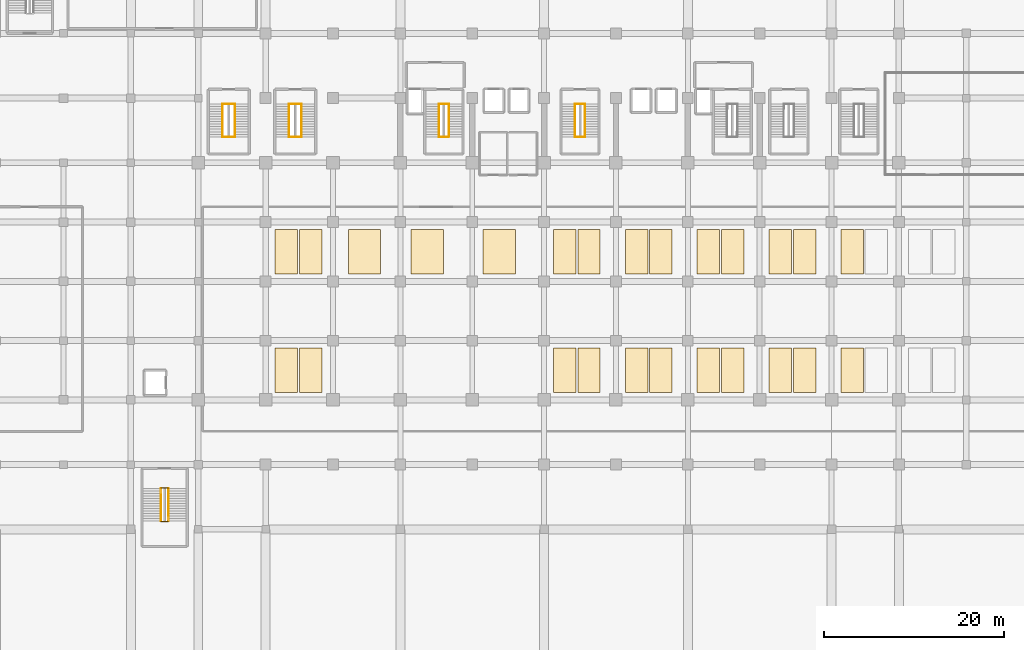
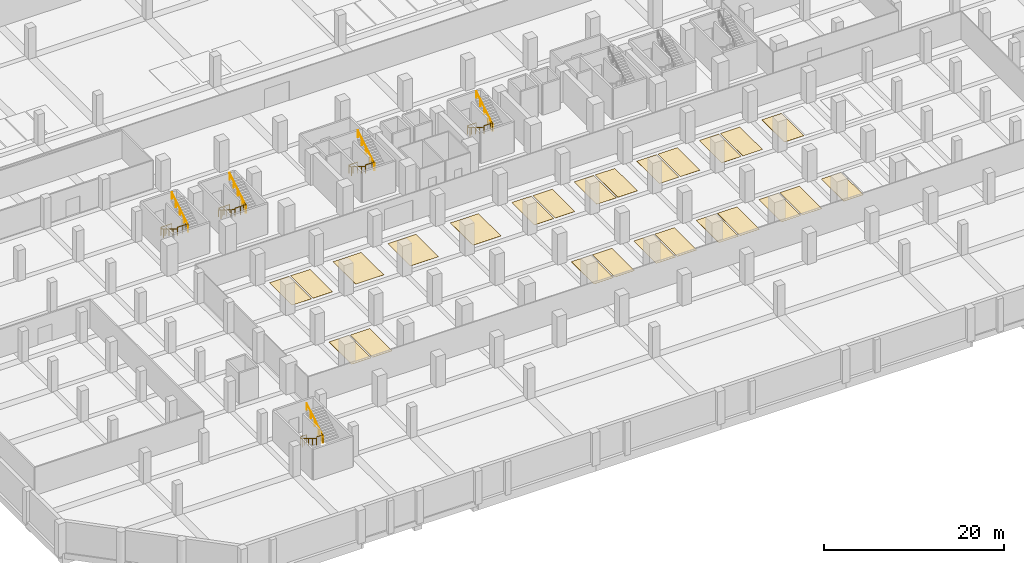
# One storey, part 21 of 25: 25 coverings, 20 railings.
"""IFC4 building model written with IfcOpenShell, lengths in metres."""

from ifc_helpers import new_model, si_unit, direction, frame, origin, origin_2d, place, context, subcontext, project, spatial, rectangle, circle, extrude, material, layer, layer_set, type_object, element, save


model = new_model("IFC4")

# Units and contexts
model_context = context("Model", 3, precision=1e-05, world=origin(), true_north=direction((0.0, 1.0)))
body_context = subcontext(model_context, "Body", "Model", "MODEL_VIEW")
ifc_project = project(units=[si_unit("LENGTHUNIT", "METRE"), si_unit("AREAUNIT", "SQUARE_METRE"), si_unit("VOLUMEUNIT", "CUBIC_METRE"), si_unit("PLANEANGLEUNIT", "RADIAN"), si_unit("MASSUNIT", "GRAM", prefix="KILO")], contexts=[model_context])

# Site, building, storey
site_placement = place(None, origin())
site = spatial("IfcSite", under=ifc_project, at=site_placement, CompositionType="ELEMENT")
building_placement = place(site_placement, origin())
building = spatial("IfcBuilding", under=site, at=building_placement, Name="Akrevak Sports Hall", CompositionType="ELEMENT")
storey_placement = place(building_placement, frame((0.0, 0.0, -4.5)))
storey = spatial("IfcBuildingStorey", under=building, at=storey_placement, Name="B01", CompositionType="ELEMENT", Elevation=-4.5)

# Coverings
ifc_material_1 = material(Name="Slate-Grey Stone Accessible Bay Topping", Category="stone")
ifc_layer_1 = layer(ifc_material_1, 0.014892578125, Name="Slate-Grey Stone Accessible Bay Topping")
ifc_layer_set_1 = layer_set([ifc_layer_1], Name="Slate-Grey Stone Accessible Bay Topping")
covering_type_1 = type_object("IfcCoveringType", Name="ARC-COV-PKBAY-ACC", PredefinedType="FLOORING", material=ifc_layer_set_1)
for number, where, z_axis, x_axis, name in (
    (1, (56.0, 45.300048828125, 0.0), (0.0, 0.0, 1.0), (1.0, 0.0, 0.0), "Accessible Parking Bay Marking B01-S01"),
    (2, (63.0, 45.300048828125, 0.0), (0.0, 0.0, 1.0), (1.0, 0.0, 0.0), "Accessible Parking Bay Marking B01-S02"),
    (3, (71.0, 45.300048828125, 0.0), (0.0, 0.0, 1.0), (1.0, 0.0, 0.0), "Accessible Parking Bay Marking B01-S03"),
):
    element("IfcCovering", number, at=place(storey_placement, frame(where, z_axis=z_axis, x_axis=x_axis)), inside=storey, type_object=covering_type_1, Name=name, PredefinedType="FLOORING", context=body_context, shape_type="SweptSolid", body=[
        extrude(rectangle(XDim=3.60009765625, YDim=5.0, at=origin_2d()), origin(), (0.0, 0.0, 1.0), 0.014892578125),
    ])
ifc_material_2 = material(Name="Polished Terrazzo Bay Topping", Category="stone")
ifc_layer_2 = layer(ifc_material_2, 0.014892578125, Name="Polished Terrazzo Bay Topping")
ifc_layer_set_2 = layer_set([ifc_layer_2], Name="Polished Terrazzo Bay Topping")
covering_type_2 = type_object("IfcCoveringType", Name="ARC-COV-PKBAY-STD", PredefinedType="FLOORING", material=ifc_layer_set_2)
for number, where, z_axis, x_axis, name in (
    (4, (47.300048828125, 32.10009765625, 0.0), (0.0, 0.0, 1.0), (1.0, 0.0, 0.0), "Standard Parking Bay Marking B01-S01"),
    (5, (50.0, 32.10009765625, 0.0), (0.0, 0.0, 1.0), (1.0, 0.0, 0.0), "Standard Parking Bay Marking B01-S02"),
    (6, (78.300048828125, 32.10009765625, 0.0), (0.0, 0.0, 1.0), (1.0, 0.0, 0.0), "Standard Parking Bay Marking B01-S03"),
    (7, (81.0, 32.10009765625, 0.0), (0.0, 0.0, 1.0), (1.0, 0.0, 0.0), "Standard Parking Bay Marking B01-S04"),
    (8, (86.300048828125, 32.10009765625, 0.0), (0.0, 0.0, 1.0), (1.0, 0.0, 0.0), "Standard Parking Bay Marking B01-S05"),
    (9, (89.0, 32.10009765625, 0.0), (0.0, 0.0, 1.0), (1.0, 0.0, 0.0), "Standard Parking Bay Marking B01-S06"),
    (10, (94.300048828125, 32.10009765625, 0.0), (0.0, 0.0, 1.0), (1.0, 0.0, 0.0), "Standard Parking Bay Marking B01-S07"),
    (11, (97.0, 32.10009765625, 0.0), (0.0, 0.0, 1.0), (1.0, 0.0, 0.0), "Standard Parking Bay Marking B01-S08"),
    (12, (102.300048828125, 32.10009765625, 0.0), (0.0, 0.0, 1.0), (1.0, 0.0, 0.0), "Standard Parking Bay Marking B01-S09"),
    (13, (105.0, 32.10009765625, 0.0), (0.0, 0.0, 1.0), (1.0, 0.0, 0.0), "Standard Parking Bay Marking B01-S10"),
    (14, (110.300048828125, 32.10009765625, 0.0), (0.0, 0.0, 1.0), (1.0, 0.0, 0.0), "Standard Parking Bay Marking B01-S11"),
    (15, (47.300048828125, 45.300048828125, 0.0), (0.0, 0.0, 1.0), (1.0, 0.0, 0.0), "Standard Parking Bay Marking B01-S15"),
    (16, (50.0, 45.300048828125, 0.0), (0.0, 0.0, 1.0), (1.0, 0.0, 0.0), "Standard Parking Bay Marking B01-S16"),
    (17, (78.300048828125, 45.300048828125, 0.0), (0.0, 0.0, 1.0), (1.0, 0.0, 0.0), "Standard Parking Bay Marking B01-S17"),
    (18, (81.0, 45.300048828125, 0.0), (0.0, 0.0, 1.0), (1.0, 0.0, 0.0), "Standard Parking Bay Marking B01-S18"),
    (19, (86.300048828125, 45.300048828125, 0.0), (0.0, 0.0, 1.0), (1.0, 0.0, 0.0), "Standard Parking Bay Marking B01-S19"),
    (20, (89.0, 45.300048828125, 0.0), (0.0, 0.0, 1.0), (1.0, 0.0, 0.0), "Standard Parking Bay Marking B01-S20"),
    (21, (94.300048828125, 45.300048828125, 0.0), (0.0, 0.0, 1.0), (1.0, 0.0, 0.0), "Standard Parking Bay Marking B01-S21"),
    (22, (97.0, 45.300048828125, 0.0), (0.0, 0.0, 1.0), (1.0, 0.0, 0.0), "Standard Parking Bay Marking B01-S22"),
    (23, (102.300048828125, 45.300048828125, 0.0), (0.0, 0.0, 1.0), (1.0, 0.0, 0.0), "Standard Parking Bay Marking B01-S23"),
    (24, (105.0, 45.300048828125, 0.0), (0.0, 0.0, 1.0), (1.0, 0.0, 0.0), "Standard Parking Bay Marking B01-S24"),
    (25, (110.300048828125, 45.300048828125, 0.0), (0.0, 0.0, 1.0), (1.0, 0.0, 0.0), "Standard Parking Bay Marking B01-S25"),
):
    element("IfcCovering", number, at=place(storey_placement, frame(where, z_axis=z_axis, x_axis=x_axis)), inside=storey, type_object=covering_type_2, Name=name, PredefinedType="FLOORING", context=body_context, shape_type="SweptSolid", body=[
        extrude(rectangle(XDim=2.5, YDim=5.0, at=origin_2d()), origin(), (0.0, 0.0, 1.0), 0.014892578125),
    ])

# Railings
ifc_material_3 = material(Name="Painted Architectural Balustrade Steel", Category="steel")
ifc_layer_3 = layer(ifc_material_3, 0.06005859375, Name="Painted Architectural Balustrade Steel")
ifc_layer_set_3 = layer_set([ifc_layer_3], Name="Painted Architectural Balustrade Steel")
railing_type_1 = type_object("IfcRailingType", Name="ARC-RL-GRD-1120", PredefinedType="GUARDRAIL", material=ifc_layer_set_3)
railing_1_placement = place(storey_placement, frame((64.31005859375, 61.215087890625, 0.0)))
element("IfcRailing", 26, at=railing_1_placement, inside=storey, type_object=railing_type_1, Name="Stair Floor Landing Well Guard ST1 (B01)", PredefinedType="GUARDRAIL", context=body_context, shape_type="SweptSolid", body=[
    extrude(circle(Radius=0.02392578125, at=origin_2d()), frame((0.0, 0.0, 1.09619140625), z_axis=(0.0, 1.0, 0.0), x_axis=(-1.0, 0.0, 0.0)), (0.0, 0.0, 1.0), 0.5498046875),
    extrude(circle(Radius=0.02392578125, at=origin_2d()), frame((0.0, 0.5498046875, 1.09619140625), z_axis=(1.0, 0.0, 0.0), x_axis=(0.0, 1.0, 0.0)), (0.0, 0.0, 1.0), 1.10986328125),
    extrude(circle(Radius=0.02099609375, at=origin_2d()), origin(), (0.0, 0.0, 1.0), 1.072021484375),
    extrude(circle(Radius=0.02099609375, at=origin_2d()), frame((0.0, 0.5498046875, 0.0)), (0.0, 0.0, 1.0), 1.072021484375),
    extrude(circle(Radius=0.02099609375, at=origin_2d()), frame((1.10986328125, 0.5498046875, 0.0)), (0.0, 0.0, 1.0), 1.072021484375),
])
railing_2_placement = place(storey_placement, frame((64.280029296875, 58.06494140625, 2.25)))
element("IfcRailing", 27, at=railing_2_placement, inside=storey, type_object=railing_type_1, Name="Stair Landing Well Guard ST1-B01-1", PredefinedType="GUARDRAIL", context=body_context, shape_type="SweptSolid", body=[
    extrude(circle(Radius=0.02392578125, at=origin_2d()), frame((0.0, 0.0, 1.09619140625), z_axis=(1.0, 0.0, 0.0), x_axis=(0.0, 1.0, 0.0)), (0.0, 0.0, 1.0), 1.10986328125),
    extrude(circle(Radius=0.02392578125, at=origin_2d()), frame((1.10986328125, 0.0, 1.09619140625), z_axis=(0.0, 1.0, 0.0), x_axis=(-1.0, 0.0, 0.0)), (0.0, 0.0, 1.0), 0.52001953125),
    extrude(circle(Radius=0.02099609375, at=origin_2d()), origin(), (0.0, 0.0, 1.0), 1.072021484375),
    extrude(circle(Radius=0.02099609375, at=origin_2d()), frame((1.10986328125, 0.0, 0.0)), (0.0, 0.0, 1.0), 1.072021484375),
    extrude(circle(Radius=0.02099609375, at=origin_2d()), frame((1.10986328125, 0.52001953125, 0.0)), (0.0, 0.0, 1.0), 1.072021484375),
])
railing_3_placement = place(storey_placement, frame((79.4599609375, 61.215087890625, 0.0)))
element("IfcRailing", 28, at=railing_3_placement, inside=storey, type_object=railing_type_1, Name="Stair Floor Landing Well Guard ST3 (B01)", PredefinedType="GUARDRAIL", context=body_context, shape_type="SweptSolid", body=[
    extrude(circle(Radius=0.02392578125, at=origin_2d()), frame((0.0, 0.0, 1.09619140625), z_axis=(0.0, 1.0, 0.0), x_axis=(-1.0, 0.0, 0.0)), (0.0, 0.0, 1.0), 0.5498046875),
    extrude(circle(Radius=0.02392578125, at=origin_2d()), frame((0.0, 0.5498046875, 1.09619140625), z_axis=(1.0, 0.0, 0.0), x_axis=(0.0, 1.0, 0.0)), (0.0, 0.0, 1.0), 1.110107421875),
    extrude(circle(Radius=0.02099609375, at=origin_2d()), origin(), (0.0, 0.0, 1.0), 1.072021484375),
    extrude(circle(Radius=0.02099609375, at=origin_2d()), frame((0.0, 0.5498046875, 0.0)), (0.0, 0.0, 1.0), 1.072021484375),
    extrude(circle(Radius=0.02099609375, at=origin_2d()), frame((1.110107421875, 0.5498046875, 0.0)), (0.0, 0.0, 1.0), 1.072021484375),
])
railing_4_placement = place(storey_placement, frame((79.429931640625, 58.06494140625, 2.25)))
element("IfcRailing", 29, at=railing_4_placement, inside=storey, type_object=railing_type_1, Name="Stair Landing Well Guard ST3-B01-1", PredefinedType="GUARDRAIL", context=body_context, shape_type="SweptSolid", body=[
    extrude(circle(Radius=0.02392578125, at=origin_2d()), frame((0.0, 0.0, 1.09619140625), z_axis=(1.0, 0.0, 0.0), x_axis=(0.0, 1.0, 0.0)), (0.0, 0.0, 1.0), 1.110107421875),
    extrude(circle(Radius=0.02392578125, at=origin_2d()), frame((1.110107421875, 0.0, 1.09619140625), z_axis=(0.0, 1.0, 0.0), x_axis=(-1.0, 0.0, 0.0)), (0.0, 0.0, 1.0), 0.52001953125),
    extrude(circle(Radius=0.02099609375, at=origin_2d()), origin(), (0.0, 0.0, 1.0), 1.072021484375),
    extrude(circle(Radius=0.02099609375, at=origin_2d()), frame((1.110107421875, 0.0, 0.0)), (0.0, 0.0, 1.0), 1.072021484375),
    extrude(circle(Radius=0.02099609375, at=origin_2d()), frame((1.110107421875, 0.52001953125, 0.0)), (0.0, 0.0, 1.0), 1.072021484375),
])
railing_5_placement = place(storey_placement, frame((47.6201171875, 61.215087890625, 0.0)))
element("IfcRailing", 30, at=railing_5_placement, inside=storey, type_object=railing_type_1, Name="Stair Floor Landing Well Guard ST4 (B01)", PredefinedType="GUARDRAIL", context=body_context, shape_type="SweptSolid", body=[
    extrude(circle(Radius=0.02392578125, at=origin_2d()), frame((0.0, 0.0, 1.09619140625), z_axis=(0.0, 1.0, 0.0), x_axis=(-1.0, 0.0, 0.0)), (0.0, 0.0, 1.0), 0.5498046875),
    extrude(circle(Radius=0.02392578125, at=origin_2d()), frame((0.0, 0.5498046875, 1.09619140625), z_axis=(1.0, 0.0, 0.0), x_axis=(0.0, 1.0, 0.0)), (0.0, 0.0, 1.0), 1.389892578125),
    extrude(circle(Radius=0.02099609375, at=origin_2d()), origin(), (0.0, 0.0, 1.0), 1.072021484375),
    extrude(circle(Radius=0.02099609375, at=origin_2d()), frame((0.0, 0.5498046875, 0.0)), (0.0, 0.0, 1.0), 1.072021484375),
    extrude(circle(Radius=0.02099609375, at=origin_2d()), frame((0.69482421875, 0.5498046875, 0.0)), (0.0, 0.0, 1.0), 1.072021484375),
    extrude(circle(Radius=0.02099609375, at=origin_2d()), frame((1.389892578125, 0.5498046875, 0.0)), (0.0, 0.0, 1.0), 1.072021484375),
])
railing_6_placement = place(storey_placement, frame((47.590087890625, 58.06494140625, 2.25)))
element("IfcRailing", 31, at=railing_6_placement, inside=storey, type_object=railing_type_1, Name="Stair Landing Well Guard ST4-B01-1", PredefinedType="GUARDRAIL", context=body_context, shape_type="SweptSolid", body=[
    extrude(circle(Radius=0.02392578125, at=origin_2d()), frame((0.0, 0.0, 1.09619140625), z_axis=(1.0, 0.0, 0.0), x_axis=(0.0, 1.0, 0.0)), (0.0, 0.0, 1.0), 1.389892578125),
    extrude(circle(Radius=0.02392578125, at=origin_2d()), frame((1.389892578125, 0.0, 1.09619140625), z_axis=(0.0, 1.0, 0.0), x_axis=(-1.0, 0.0, 0.0)), (0.0, 0.0, 1.0), 0.52001953125),
    extrude(circle(Radius=0.02099609375, at=origin_2d()), origin(), (0.0, 0.0, 1.0), 1.072021484375),
    extrude(circle(Radius=0.02099609375, at=origin_2d()), frame((0.69482421875, 0.0, 0.0)), (0.0, 0.0, 1.0), 1.072021484375),
    extrude(circle(Radius=0.02099609375, at=origin_2d()), frame((1.389892578125, 0.0, 0.0)), (0.0, 0.0, 1.0), 1.072021484375),
    extrude(circle(Radius=0.02099609375, at=origin_2d()), frame((1.389892578125, 0.52001953125, 0.0)), (0.0, 0.0, 1.0), 1.072021484375),
])
railing_7_placement = place(storey_placement, frame((33.360107421875, 18.429931640625, 0.0)))
element("IfcRailing", 32, at=railing_7_placement, inside=storey, type_object=railing_type_1, Name="Stair Floor Landing Well Guard ST5 (B01)", PredefinedType="GUARDRAIL", context=body_context, shape_type="SweptSolid", body=[
    extrude(circle(Radius=0.02392578125, at=origin_2d()), frame((0.0, 0.0, 1.09619140625), z_axis=(0.0, 1.0, 0.0), x_axis=(-1.0, 0.0, 0.0)), (0.0, 0.0, 1.0), 0.550048828125),
    extrude(circle(Radius=0.02392578125, at=origin_2d()), frame((0.0, 0.550048828125, 1.09619140625), z_axis=(1.0, 0.0, 0.0), x_axis=(0.0, 1.0, 0.0)), (0.0, 0.0, 1.0), 0.809814453125),
    extrude(circle(Radius=0.02099609375, at=origin_2d()), origin(), (0.0, 0.0, 1.0), 1.072021484375),
    extrude(circle(Radius=0.02099609375, at=origin_2d()), frame((0.0, 0.550048828125, 0.0)), (0.0, 0.0, 1.0), 1.072021484375),
    extrude(circle(Radius=0.02099609375, at=origin_2d()), frame((0.809814453125, 0.550048828125, 0.0)), (0.0, 0.0, 1.0), 1.072021484375),
])
railing_8_placement = place(storey_placement, frame((33.330078125, 15.280029296875, 2.25)))
element("IfcRailing", 33, at=railing_8_placement, inside=storey, type_object=railing_type_1, Name="Stair Landing Well Guard ST5-B01-1", PredefinedType="GUARDRAIL", context=body_context, shape_type="SweptSolid", body=[
    extrude(circle(Radius=0.02392578125, at=origin_2d()), frame((0.0, 0.0, 1.09619140625), z_axis=(1.0, 0.0, 0.0), x_axis=(0.0, 1.0, 0.0)), (0.0, 0.0, 1.0), 0.809814453125),
    extrude(circle(Radius=0.02392578125, at=origin_2d()), frame((0.809814453125, 0.0, 1.09619140625), z_axis=(0.0, 1.0, 0.0), x_axis=(-1.0, 0.0, 0.0)), (0.0, 0.0, 1.0), 0.52001953125),
    extrude(circle(Radius=0.02099609375, at=origin_2d()), origin(), (0.0, 0.0, 1.0), 1.072021484375),
    extrude(circle(Radius=0.02099609375, at=origin_2d()), frame((0.809814453125, 0.0, 0.0)), (0.0, 0.0, 1.0), 1.072021484375),
    extrude(circle(Radius=0.02099609375, at=origin_2d()), frame((0.809814453125, 0.52001953125, 0.0)), (0.0, 0.0, 1.0), 1.072021484375),
])
railing_9_placement = place(storey_placement, frame((40.219970703125, 61.215087890625, 0.0)))
element("IfcRailing", 34, at=railing_9_placement, inside=storey, type_object=railing_type_1, Name="Stair Floor Landing Well Guard ST9 (B01)", PredefinedType="GUARDRAIL", context=body_context, shape_type="SweptSolid", body=[
    extrude(circle(Radius=0.02392578125, at=origin_2d()), frame((0.0, 0.0, 1.09619140625), z_axis=(0.0, 1.0, 0.0), x_axis=(-1.0, 0.0, 0.0)), (0.0, 0.0, 1.0), 0.5498046875),
    extrude(circle(Radius=0.02392578125, at=origin_2d()), frame((0.0, 0.5498046875, 1.09619140625), z_axis=(1.0, 0.0, 0.0), x_axis=(0.0, 1.0, 0.0)), (0.0, 0.0, 1.0), 1.39013671875),
    extrude(circle(Radius=0.02099609375, at=origin_2d()), origin(), (0.0, 0.0, 1.0), 1.072021484375),
    extrude(circle(Radius=0.02099609375, at=origin_2d()), frame((0.0, 0.5498046875, 0.0)), (0.0, 0.0, 1.0), 1.072021484375),
    extrude(circle(Radius=0.02099609375, at=origin_2d()), frame((0.695068359375, 0.5498046875, 0.0)), (0.0, 0.0, 1.0), 1.072021484375),
    extrude(circle(Radius=0.02099609375, at=origin_2d()), frame((1.39013671875, 0.5498046875, 0.0)), (0.0, 0.0, 1.0), 1.072021484375),
])
railing_10_placement = place(storey_placement, frame((40.18994140625, 58.06494140625, 2.25)))
element("IfcRailing", 35, at=railing_10_placement, inside=storey, type_object=railing_type_1, Name="Stair Landing Well Guard ST9-B01-1", PredefinedType="GUARDRAIL", context=body_context, shape_type="SweptSolid", body=[
    extrude(circle(Radius=0.02392578125, at=origin_2d()), frame((0.0, 0.0, 1.09619140625), z_axis=(1.0, 0.0, 0.0), x_axis=(0.0, 1.0, 0.0)), (0.0, 0.0, 1.0), 1.39013671875),
    extrude(circle(Radius=0.02392578125, at=origin_2d()), frame((1.39013671875, 0.0, 1.09619140625), z_axis=(0.0, 1.0, 0.0), x_axis=(-1.0, 0.0, 0.0)), (0.0, 0.0, 1.0), 0.52001953125),
    extrude(circle(Radius=0.02099609375, at=origin_2d()), origin(), (0.0, 0.0, 1.0), 1.072021484375),
    extrude(circle(Radius=0.02099609375, at=origin_2d()), frame((0.695068359375, 0.0, 0.0)), (0.0, 0.0, 1.0), 1.072021484375),
    extrude(circle(Radius=0.02099609375, at=origin_2d()), frame((1.39013671875, 0.0, 0.0)), (0.0, 0.0, 1.0), 1.072021484375),
    extrude(circle(Radius=0.02099609375, at=origin_2d()), frame((1.39013671875, 0.52001953125, 0.0)), (0.0, 0.0, 1.0), 1.072021484375),
])
ifc_material_4 = material(Name="Brushed Stainless Steel 304", Category="steel")
ifc_layer_4 = layer(ifc_material_4, 0.050048828125, Name="Brushed Stainless Steel 304")
ifc_layer_set_4 = layer_set([ifc_layer_4], Name="Brushed Stainless Steel 304")
railing_type_2 = type_object("IfcRailingType", Name="ARC-RL-HND-900", PredefinedType="HANDRAIL", material=ifc_layer_set_4)
railing_11_placement = place(storey_placement, frame((64.280029296875, 61.735107421875, 0.0)))
element("IfcRailing", 36, at=railing_11_placement, inside=storey, type_object=railing_type_2, Name="Stair Handrail ST1-B01-F1", PredefinedType="HANDRAIL", context=body_context, shape_type="SweptSolid", body=[
    extrude(circle(Radius=0.02392578125, at=origin_2d()), frame((0.0, 0.0, 0.8759765625), z_axis=(0.0, -0.850622404505, 0.525777067734), x_axis=(1.0, 0.0, 0.0)), (0.0, 0.0, 1.0), 4.279296875),
    extrude(circle(Radius=0.02099609375, at=origin_2d()), origin(), (0.0, 0.0, 1.0), 0.851806640625),
    extrude(circle(Radius=0.02099609375, at=origin_2d()), frame((0.0, -0.91015625, 0.5625)), (0.0, 0.0, 1.0), 0.851806640625),
    extrude(circle(Radius=0.02099609375, at=origin_2d()), frame((0.0, -1.820068359375, 1.125)), (0.0, 0.0, 1.0), 0.851806640625),
    extrude(circle(Radius=0.02099609375, at=origin_2d()), frame((0.0, -2.72998046875, 1.6875)), (0.0, 0.0, 1.0), 0.851806640625),
    extrude(circle(Radius=0.02099609375, at=origin_2d()), frame((0.0, -3.64013671875, 2.25)), (0.0, 0.0, 1.0), 0.851806640625),
])
railing_12_placement = place(storey_placement, frame((65.419921875, 58.094970703125, 2.25)))
element("IfcRailing", 37, at=railing_12_placement, inside=storey, type_object=railing_type_2, Name="Stair Handrail ST1-B01-F2", PredefinedType="HANDRAIL", context=body_context, shape_type="SweptSolid", body=[
    extrude(circle(Radius=0.02392578125, at=origin_2d()), frame((0.0, 0.0, 0.8759765625), z_axis=(0.0, 0.850622404505, 0.525777067734), x_axis=(-1.0, 0.0, 0.0)), (0.0, 0.0, 1.0), 4.279296875),
    extrude(circle(Radius=0.02099609375, at=origin_2d()), origin(), (0.0, 0.0, 1.0), 0.851806640625),
    extrude(circle(Radius=0.02099609375, at=origin_2d()), frame((0.0, 0.91015625, 0.5625)), (0.0, 0.0, 1.0), 0.851806640625),
    extrude(circle(Radius=0.02099609375, at=origin_2d()), frame((0.0, 1.820068359375, 1.125)), (0.0, 0.0, 1.0), 0.851806640625),
    extrude(circle(Radius=0.02099609375, at=origin_2d()), frame((0.0, 2.72998046875, 1.6875)), (0.0, 0.0, 1.0), 0.851806640625),
    extrude(circle(Radius=0.02099609375, at=origin_2d()), frame((0.0, 3.64013671875, 2.25)), (0.0, 0.0, 1.0), 0.851806640625),
])
railing_13_placement = place(storey_placement, frame((79.429931640625, 61.735107421875, 0.0)))
element("IfcRailing", 38, at=railing_13_placement, inside=storey, type_object=railing_type_2, Name="Stair Handrail ST3-B01-F1", PredefinedType="HANDRAIL", context=body_context, shape_type="SweptSolid", body=[
    extrude(circle(Radius=0.02392578125, at=origin_2d()), frame((0.0, 0.0, 0.8759765625), z_axis=(0.0, -0.850622404505, 0.525777067734), x_axis=(1.0, 0.0, 0.0)), (0.0, 0.0, 1.0), 4.279296875),
    extrude(circle(Radius=0.02099609375, at=origin_2d()), origin(), (0.0, 0.0, 1.0), 0.851806640625),
    extrude(circle(Radius=0.02099609375, at=origin_2d()), frame((0.0, -0.91015625, 0.5625)), (0.0, 0.0, 1.0), 0.851806640625),
    extrude(circle(Radius=0.02099609375, at=origin_2d()), frame((0.0, -1.820068359375, 1.125)), (0.0, 0.0, 1.0), 0.851806640625),
    extrude(circle(Radius=0.02099609375, at=origin_2d()), frame((0.0, -2.72998046875, 1.6875)), (0.0, 0.0, 1.0), 0.851806640625),
    extrude(circle(Radius=0.02099609375, at=origin_2d()), frame((0.0, -3.64013671875, 2.25)), (0.0, 0.0, 1.0), 0.851806640625),
])
railing_14_placement = place(storey_placement, frame((80.570068359375, 58.094970703125, 2.25)))
element("IfcRailing", 39, at=railing_14_placement, inside=storey, type_object=railing_type_2, Name="Stair Handrail ST3-B01-F2", PredefinedType="HANDRAIL", context=body_context, shape_type="SweptSolid", body=[
    extrude(circle(Radius=0.02392578125, at=origin_2d()), frame((0.0, 0.0, 0.8759765625), z_axis=(0.0, 0.850622404505, 0.525777067734), x_axis=(-1.0, 0.0, 0.0)), (0.0, 0.0, 1.0), 4.279296875),
    extrude(circle(Radius=0.02099609375, at=origin_2d()), origin(), (0.0, 0.0, 1.0), 0.851806640625),
    extrude(circle(Radius=0.02099609375, at=origin_2d()), frame((0.0, 0.91015625, 0.5625)), (0.0, 0.0, 1.0), 0.851806640625),
    extrude(circle(Radius=0.02099609375, at=origin_2d()), frame((0.0, 1.820068359375, 1.125)), (0.0, 0.0, 1.0), 0.851806640625),
    extrude(circle(Radius=0.02099609375, at=origin_2d()), frame((0.0, 2.72998046875, 1.6875)), (0.0, 0.0, 1.0), 0.851806640625),
    extrude(circle(Radius=0.02099609375, at=origin_2d()), frame((0.0, 3.64013671875, 2.25)), (0.0, 0.0, 1.0), 0.851806640625),
])
railing_15_placement = place(storey_placement, frame((47.590087890625, 61.735107421875, 0.0)))
element("IfcRailing", 40, at=railing_15_placement, inside=storey, type_object=railing_type_2, Name="Stair Handrail ST4-B01-F1", PredefinedType="HANDRAIL", context=body_context, shape_type="SweptSolid", body=[
    extrude(circle(Radius=0.02392578125, at=origin_2d()), frame((0.0, 0.0, 0.8759765625), z_axis=(0.0, -0.850622404505, 0.525777067734), x_axis=(1.0, 0.0, 0.0)), (0.0, 0.0, 1.0), 4.279296875),
    extrude(circle(Radius=0.02099609375, at=origin_2d()), origin(), (0.0, 0.0, 1.0), 0.851806640625),
    extrude(circle(Radius=0.02099609375, at=origin_2d()), frame((0.0, -0.91015625, 0.5625)), (0.0, 0.0, 1.0), 0.851806640625),
    extrude(circle(Radius=0.02099609375, at=origin_2d()), frame((0.0, -1.820068359375, 1.125)), (0.0, 0.0, 1.0), 0.851806640625),
    extrude(circle(Radius=0.02099609375, at=origin_2d()), frame((0.0, -2.72998046875, 1.6875)), (0.0, 0.0, 1.0), 0.851806640625),
    extrude(circle(Radius=0.02099609375, at=origin_2d()), frame((0.0, -3.64013671875, 2.25)), (0.0, 0.0, 1.0), 0.851806640625),
])
railing_16_placement = place(storey_placement, frame((49.010009765625, 58.094970703125, 2.25)))
element("IfcRailing", 41, at=railing_16_placement, inside=storey, type_object=railing_type_2, Name="Stair Handrail ST4-B01-F2", PredefinedType="HANDRAIL", context=body_context, shape_type="SweptSolid", body=[
    extrude(circle(Radius=0.02392578125, at=origin_2d()), frame((0.0, 0.0, 0.8759765625), z_axis=(0.0, 0.850622404505, 0.525777067734), x_axis=(-1.0, 0.0, 0.0)), (0.0, 0.0, 1.0), 4.279296875),
    extrude(circle(Radius=0.02099609375, at=origin_2d()), origin(), (0.0, 0.0, 1.0), 0.851806640625),
    extrude(circle(Radius=0.02099609375, at=origin_2d()), frame((0.0, 0.91015625, 0.5625)), (0.0, 0.0, 1.0), 0.851806640625),
    extrude(circle(Radius=0.02099609375, at=origin_2d()), frame((0.0, 1.820068359375, 1.125)), (0.0, 0.0, 1.0), 0.851806640625),
    extrude(circle(Radius=0.02099609375, at=origin_2d()), frame((0.0, 2.72998046875, 1.6875)), (0.0, 0.0, 1.0), 0.851806640625),
    extrude(circle(Radius=0.02099609375, at=origin_2d()), frame((0.0, 3.64013671875, 2.25)), (0.0, 0.0, 1.0), 0.851806640625),
])
railing_17_placement = place(storey_placement, frame((33.330078125, 18.949951171875, 0.0)))
element("IfcRailing", 42, at=railing_17_placement, inside=storey, type_object=railing_type_2, Name="Stair Handrail ST5-B01-F1", PredefinedType="HANDRAIL", context=body_context, shape_type="SweptSolid", body=[
    extrude(circle(Radius=0.02392578125, at=origin_2d()), frame((0.0, 0.0, 0.8759765625), z_axis=(0.0, -0.850606632239, 0.525802583857), x_axis=(1.0, 0.0, 0.0)), (0.0, 0.0, 1.0), 4.279052734375),
    extrude(circle(Radius=0.02099609375, at=origin_2d()), origin(), (0.0, 0.0, 1.0), 0.851806640625),
    extrude(circle(Radius=0.02099609375, at=origin_2d()), frame((0.0, -0.909912109375, 0.5625)), (0.0, 0.0, 1.0), 0.851806640625),
    extrude(circle(Radius=0.02099609375, at=origin_2d()), frame((0.0, -1.81982421875, 1.125)), (0.0, 0.0, 1.0), 0.851806640625),
    extrude(circle(Radius=0.02099609375, at=origin_2d()), frame((0.0, -2.72998046875, 1.6875)), (0.0, 0.0, 1.0), 0.851806640625),
    extrude(circle(Radius=0.02099609375, at=origin_2d()), frame((0.0, -3.639892578125, 2.25)), (0.0, 0.0, 1.0), 0.851806640625),
])
railing_18_placement = place(storey_placement, frame((34.169921875, 15.31005859375, 2.25)))
element("IfcRailing", 43, at=railing_18_placement, inside=storey, type_object=railing_type_2, Name="Stair Handrail ST5-B01-F2", PredefinedType="HANDRAIL", context=body_context, shape_type="SweptSolid", body=[
    extrude(circle(Radius=0.02392578125, at=origin_2d()), frame((0.0, 0.0, 0.8759765625), z_axis=(0.0, 0.850606632239, 0.525802583857), x_axis=(-1.0, 0.0, 0.0)), (0.0, 0.0, 1.0), 4.279052734375),
    extrude(circle(Radius=0.02099609375, at=origin_2d()), origin(), (0.0, 0.0, 1.0), 0.851806640625),
    extrude(circle(Radius=0.02099609375, at=origin_2d()), frame((0.0, 0.909912109375, 0.5625)), (0.0, 0.0, 1.0), 0.851806640625),
    extrude(circle(Radius=0.02099609375, at=origin_2d()), frame((0.0, 1.81982421875, 1.125)), (0.0, 0.0, 1.0), 0.851806640625),
    extrude(circle(Radius=0.02099609375, at=origin_2d()), frame((0.0, 2.72998046875, 1.6875)), (0.0, 0.0, 1.0), 0.851806640625),
    extrude(circle(Radius=0.02099609375, at=origin_2d()), frame((0.0, 3.639892578125, 2.25)), (0.0, 0.0, 1.0), 0.851806640625),
])
railing_19_placement = place(storey_placement, frame((40.18994140625, 61.735107421875, 0.0)))
element("IfcRailing", 44, at=railing_19_placement, inside=storey, type_object=railing_type_2, Name="Stair Handrail ST9-B01-F1", PredefinedType="HANDRAIL", context=body_context, shape_type="SweptSolid", body=[
    extrude(circle(Radius=0.02392578125, at=origin_2d()), frame((0.0, 0.0, 0.8759765625), z_axis=(0.0, -0.850622404505, 0.525777067734), x_axis=(1.0, 0.0, 0.0)), (0.0, 0.0, 1.0), 4.279296875),
    extrude(circle(Radius=0.02099609375, at=origin_2d()), origin(), (0.0, 0.0, 1.0), 0.851806640625),
    extrude(circle(Radius=0.02099609375, at=origin_2d()), frame((0.0, -0.91015625, 0.5625)), (0.0, 0.0, 1.0), 0.851806640625),
    extrude(circle(Radius=0.02099609375, at=origin_2d()), frame((0.0, -1.820068359375, 1.125)), (0.0, 0.0, 1.0), 0.851806640625),
    extrude(circle(Radius=0.02099609375, at=origin_2d()), frame((0.0, -2.72998046875, 1.6875)), (0.0, 0.0, 1.0), 0.851806640625),
    extrude(circle(Radius=0.02099609375, at=origin_2d()), frame((0.0, -3.64013671875, 2.25)), (0.0, 0.0, 1.0), 0.851806640625),
])
railing_20_placement = place(storey_placement, frame((41.610107421875, 58.094970703125, 2.25)))
element("IfcRailing", 45, at=railing_20_placement, inside=storey, type_object=railing_type_2, Name="Stair Handrail ST9-B01-F2", PredefinedType="HANDRAIL", context=body_context, shape_type="SweptSolid", body=[
    extrude(circle(Radius=0.02392578125, at=origin_2d()), frame((0.0, 0.0, 0.8759765625), z_axis=(0.0, 0.850622404505, 0.525777067734), x_axis=(-1.0, 0.0, 0.0)), (0.0, 0.0, 1.0), 4.279296875),
    extrude(circle(Radius=0.02099609375, at=origin_2d()), origin(), (0.0, 0.0, 1.0), 0.851806640625),
    extrude(circle(Radius=0.02099609375, at=origin_2d()), frame((0.0, 0.91015625, 0.5625)), (0.0, 0.0, 1.0), 0.851806640625),
    extrude(circle(Radius=0.02099609375, at=origin_2d()), frame((0.0, 1.820068359375, 1.125)), (0.0, 0.0, 1.0), 0.851806640625),
    extrude(circle(Radius=0.02099609375, at=origin_2d()), frame((0.0, 2.72998046875, 1.6875)), (0.0, 0.0, 1.0), 0.851806640625),
    extrude(circle(Radius=0.02099609375, at=origin_2d()), frame((0.0, 3.64013671875, 2.25)), (0.0, 0.0, 1.0), 0.851806640625),
])

save(model, "model.ifc")
